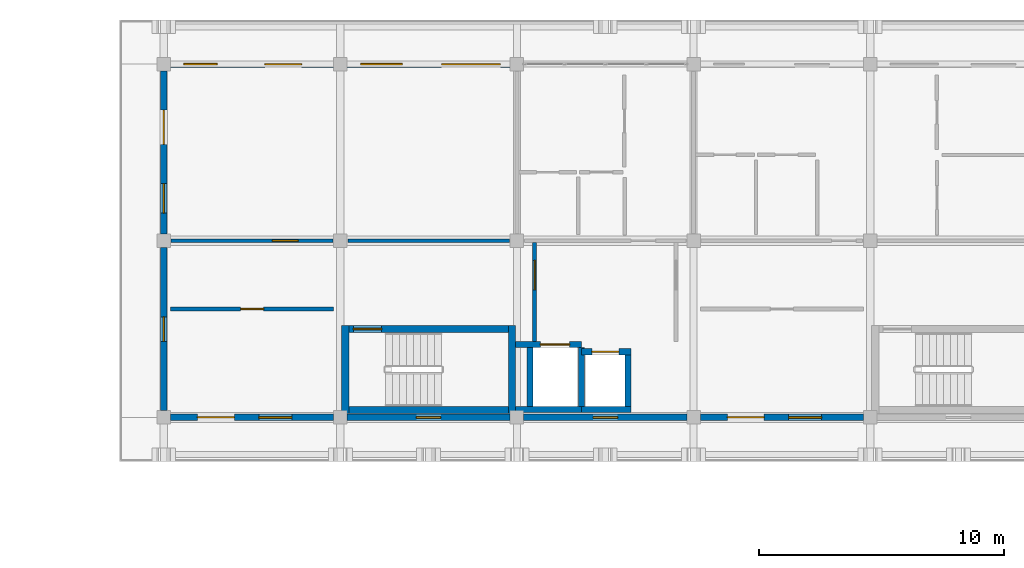
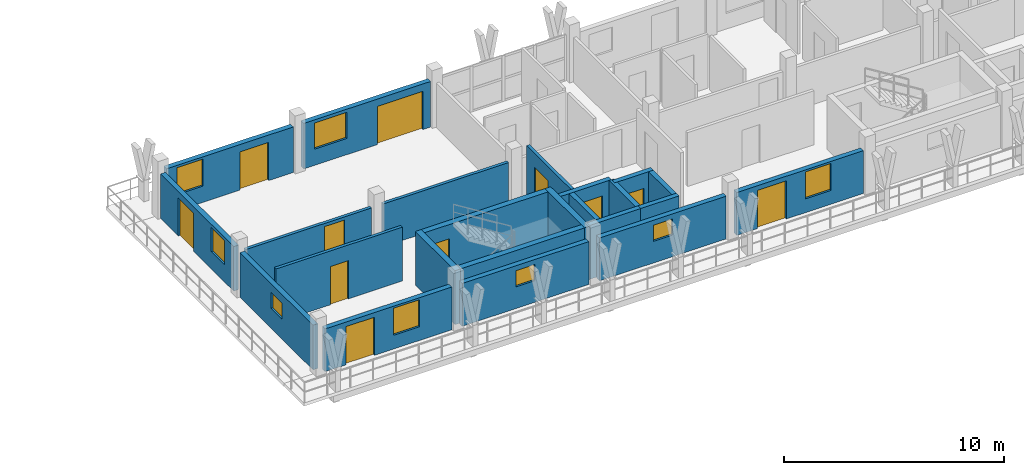
# One storey, part 49 of 67: 23 walls, 11 doors, 8 windows, 19 openings.
"""IFC4 building model written with IfcOpenShell, lengths in metres."""

from ifc_helpers import new_model, si_unit, direction, frame, frame_2d, origin, place, context, subcontext, project, spatial, rectangle, extrude, material, layer, layer_set, type_object, element, fill, save


model = new_model("IFC4")

# Units and contexts
model_context = context("Model", 3, precision=1e-05, world=origin(), true_north=direction((0.0, 1.0)))
body_context = subcontext(model_context, "Body", "Model", "MODEL_VIEW")
ifc_project = project(units=[si_unit("LENGTHUNIT", "METRE"), si_unit("AREAUNIT", "SQUARE_METRE"), si_unit("VOLUMEUNIT", "CUBIC_METRE"), si_unit("PLANEANGLEUNIT", "RADIAN"), si_unit("MASSUNIT", "GRAM", prefix="KILO")], contexts=[model_context])

# Site, building, storey
site_placement = place(None, origin())
site = spatial("IfcSite", under=ifc_project, at=site_placement, CompositionType="ELEMENT")
building_placement = place(site_placement, origin())
building = spatial("IfcBuilding", under=site, at=building_placement, Name="Suanplinth Sawtooth Commons", CompositionType="ELEMENT")
storey_placement = place(building_placement, frame((0.0, 0.0, 25.10009765625)))
storey = spatial("IfcBuildingStorey", under=building, at=storey_placement, Name="L07", CompositionType="ELEMENT", Elevation=25.10009765625)

# Wall
ifc_material_1 = material(Name="Concrete C40/50", Category="concrete")
ifc_layer_1 = layer(ifc_material_1, 0.300048828125, Name="Standard RC stair and lift core wall 300mm")
ifc_layer_set_1 = layer_set([ifc_layer_1], Name="Concrete C40/50")
wall_type_1 = type_object("IfcWallType", Name="W-CR02", PredefinedType="SHEAR", material=ifc_layer_set_1)
wall_1_placement = place(storey_placement, frame((137.14990234375, 108.300048828125, 0.0), z_axis=(0.0, 0.0, 1.0), x_axis=(1.0, 0.0, 0.0)))
element("IfcWall", 1, at=wall_1_placement, inside=storey, type_object=wall_type_1, Name="W-L07-C-B1-STS", PredefinedType="SHEAR", context=body_context, shape_type="SweptSolid", body=[
    extrude(rectangle(XDim=6.5, YDim=0.300048828125, at=frame_2d((3.25, 0.0))), origin(), (0.0, 0.0, 1.0), 2.989990234375),
])

# Wall, opening, door
wall_2_placement = place(storey_placement, frame((137.14990234375, 111.60009765625, 0.0), z_axis=(0.0, 0.0, 1.0), x_axis=(1.0, 0.0, 0.0)))
wall_2 = element("IfcWall", 2, at=wall_2_placement, inside=storey, type_object=wall_type_1, Name="W-L07-C-B1-STN", PredefinedType="SHEAR", context=body_context, shape_type="SweptSolid", body=[
    extrude(rectangle(XDim=6.5, YDim=0.300048828125, at=frame_2d((3.25, 0.0))), origin(), (0.0, 0.0, 1.0), 2.989990234375),
])
opening_1_placement = place(wall_2_placement, frame((0.179931640625, 0.0, 0.0)))
opening_1 = element("IfcOpeningElement", 3, at=opening_1_placement, cuts=wall_2, Name="Opening FD0194", PredefinedType="OPENING", context=body_context, shape_type="SweptSolid", body=[
    extrude(rectangle(XDim=1.14990234375, YDim=2.199951171875, at=frame_2d((0.574951171875, 1.10009765625))), frame((0.0, 0.1650390625, 0.0), z_axis=(0.0, -1.0, 0.0), x_axis=(1.0, 0.0, 0.0)), (0.0, 0.0, 1.0), 0.329833984375),
])
ifc_material_2 = material(Name="Teak hardwood fire-rated door assembly", Category="wood")
door_type_1 = type_object("IfcDoorType", Name="FD-01", OperationType="NOTDEFINED", PredefinedType="DOOR", material=ifc_material_2)
door_1_placement = place(opening_1_placement, frame((1.14990234375, 0.0, 0.0), z_axis=(0.0, 0.0, 1.0), x_axis=(-1.0, 0.0, 0.0)))
door_1 = element("IfcDoor", 4, at=door_1_placement, inside=storey, type_object=door_type_1, Name="Exit Stair Fire Door FD0194", OperationType="SINGLE_SWING_RIGHT", OverallHeight=2.199951171875, OverallWidth=1.14990234375, PredefinedType="DOOR", context=body_context, shape_type="SweptSolid", body=[
    extrude(rectangle(XDim=1.14990234375, YDim=2.199951171875, at=frame_2d((0.574951171875, 1.10009765625))), frame((0.0, 0.02490234375, 0.0), z_axis=(0.0, -1.0, 0.0), x_axis=(1.0, 0.0, 0.0)), (0.0, 0.0, 1.0), 0.050048828125),
])
fill(opening_1, door_1)

# Walls
for number, where, z_axis, x_axis, name in (
    (5, (137.0, 108.14990234375, 0.0), (0.0, 0.0, 1.0), (0.0, 1.0, 0.0), "W-L07-C-B1-STW"),
    (6, (143.800048828125, 108.14990234375, 0.0), (0.0, 0.0, 1.0), (0.0, 1.0, 0.0), "W-L07-C-B1-STE"),
):
    element("IfcWall", number, at=place(storey_placement, frame(where, z_axis=z_axis, x_axis=x_axis)), inside=storey, type_object=wall_type_1, Name=name, PredefinedType="SHEAR", context=body_context, shape_type="SweptSolid", body=[
        extrude(rectangle(XDim=3.60009765625, YDim=0.300048828125, at=frame_2d((1.800048828125, 0.0))), origin(), (0.0, 0.0, 1.0), 2.989990234375),
    ])

# Wall, openings, door, window
ifc_material_3 = material(Name="Precast concrete C40/50", Category="concrete")
ifc_layer_2 = layer(ifc_material_3, 0.260009765625, Name="Insulated precast courtyard facade wall 260mm")
ifc_layer_set_2 = layer_set([ifc_layer_2], Name="Precast concrete C40/50")
wall_type_2 = type_object("IfcWallType", Name="W-EX02", PredefinedType="ELEMENTEDWALL", material=ifc_layer_set_2)
wall_3_placement = place(storey_placement, frame((129.875, 108.0, 0.0), z_axis=(0.0, 0.0, 1.0), x_axis=(1.0, 0.0, 0.0)))
wall_3 = element("IfcWall", 7, at=wall_3_placement, inside=storey, type_object=wall_type_2, Name="Facade Wall W-L07-B-S-18-15", PredefinedType="ELEMENTEDWALL", context=body_context, shape_type="SweptSolid", body=[
    extrude(rectangle(XDim=6.64990234375, YDim=0.260009765625, at=frame_2d((3.324951171875, 0.0))), origin(), (0.0, 0.0, 1.0), 2.375),
])
opening_2_placement = place(wall_3_placement, frame((1.10009765625, 0.0, 0.0)))
opening_2 = element("IfcOpeningElement", 8, at=opening_2_placement, cuts=wall_3, Name="Opening ED0573", PredefinedType="OPENING", context=body_context, shape_type="SweptSolid", body=[
    extrude(rectangle(XDim=1.5, YDim=2.1201171875, at=frame_2d((0.75, 1.06005859375))), frame((0.0, 0.14501953125, 0.0), z_axis=(0.0, -1.0, 0.0), x_axis=(1.0, 0.0, 0.0)), (0.0, 0.0, 1.0), 0.289794921875),
])
opening_3_placement = place(wall_3_placement, frame((3.60009765625, 0.0, 0.764892578125)))
opening_3 = element("IfcOpeningElement", 9, at=opening_3_placement, cuts=wall_3, Name="Opening W0652", PredefinedType="OPENING", context=body_context, shape_type="SweptSolid", body=[
    extrude(rectangle(XDim=1.35009765625, YDim=1.5, at=frame_2d((0.675048828125, 0.75))), frame((0.0, 0.14501953125, 0.0), z_axis=(0.0, -1.0, 0.0), x_axis=(1.0, 0.0, 0.0)), (0.0, 0.0, 1.0), 0.289794921875),
])
ifc_material_4 = material(Name="Anodized aluminium and low-E glass", Category="aluminium")
door_type_2 = type_object("IfcDoorType", Name="SD-03", OperationType="SLIDING_TO_LEFT", PredefinedType="DOOR", material=ifc_material_4)
door_2_placement = place(opening_2_placement, frame((1.5, 0.0, 0.0), z_axis=(0.0, 0.0, 1.0), x_axis=(-1.0, 0.0, 0.0)))
door_2 = element("IfcDoor", 10, at=door_2_placement, inside=storey, type_object=door_type_2, Name="Courtyard Balcony Door L07-B-18", OperationType="SLIDING_TO_LEFT", OverallHeight=2.1201171875, OverallWidth=1.5, PredefinedType="DOOR", context=body_context, shape_type="SweptSolid", body=[
    extrude(rectangle(XDim=1.5, YDim=2.1201171875, at=frame_2d((0.75, 1.06005859375))), frame((0.0, 0.02490234375, 0.0), z_axis=(0.0, -1.0, 0.0), x_axis=(1.0, 0.0, 0.0)), (0.0, 0.0, 1.0), 0.050048828125),
])
fill(opening_2, door_2)
ifc_material_5 = material(Name="Thermally broken aluminium and low-E double glazing", Category="aluminium")
window_type_1 = type_object("IfcWindowType", Name="WN-14", PartitioningType="SINGLE_PANEL", PredefinedType="WINDOW", material=ifc_material_5)
window_1_placement = place(opening_3_placement, origin())
window_1 = element("IfcWindow", 11, at=window_1_placement, inside=storey, type_object=window_type_1, Name="Courtyard Window L07-B-18", OverallHeight=1.5, OverallWidth=1.35009765625, PartitioningType="SINGLE_PANEL", PredefinedType="WINDOW", context=body_context, shape_type="SweptSolid", body=[
    extrude(rectangle(XDim=1.35009765625, YDim=1.5, at=frame_2d((0.675048828125, 0.75))), frame((0.0, 0.030029296875, 0.0), z_axis=(0.0, -1.0, 0.0), x_axis=(1.0, 0.0, 0.0)), (0.0, 0.0, 1.0), 0.06005859375),
])
fill(opening_3, window_1)

# Wall, opening, window
wall_4_placement = place(storey_placement, frame((129.60009765625, 108.27490234375, 0.0), z_axis=(0.0, 0.0, 1.0), x_axis=(0.0, 1.0, 0.0)))
wall_4 = element("IfcWall", 12, at=wall_4_placement, inside=storey, type_object=wall_type_2, Name="Facade Wall W-L07-B-W-18-15", PredefinedType="ELEMENTEDWALL", context=body_context, shape_type="SweptSolid", body=[
    extrude(rectangle(XDim=6.650146484375, YDim=0.260009765625, at=frame_2d((3.3251953125, 0.0))), origin(), (0.0, 0.0, 1.0), 2.474853515625),
])
opening_4_placement = place(wall_4_placement, frame((2.824951171875, 0.0, 1.10009765625)))
opening_4 = element("IfcOpeningElement", 13, at=opening_4_placement, cuts=wall_4, Name="Opening W0653", PredefinedType="OPENING", context=body_context, shape_type="SweptSolid", body=[
    extrude(rectangle(XDim=1.0, YDim=0.89990234375, at=frame_2d((0.5, 0.449951171875))), frame((0.0, 0.14501953125, 0.0), z_axis=(0.0, -1.0, 0.0), x_axis=(1.0, 0.0, 0.0)), (0.0, 0.0, 1.0), 0.289794921875),
])
window_type_2 = type_object("IfcWindowType", Name="WN-12", PartitioningType="SINGLE_PANEL", PredefinedType="WINDOW", material=ifc_material_5)
window_2_placement = place(opening_4_placement, origin())
window_2 = element("IfcWindow", 14, at=window_2_placement, inside=storey, type_object=window_type_2, Name="End Window L07-B-W-18-15", OverallHeight=0.89990234375, OverallWidth=1.0, PartitioningType="SINGLE_PANEL", PredefinedType="WINDOW", context=body_context, shape_type="SweptSolid", body=[
    extrude(rectangle(XDim=1.0, YDim=0.89990234375, at=frame_2d((0.5, 0.449951171875))), frame((0.0, 0.030029296875, 0.0), z_axis=(0.0, -1.0, 0.0), x_axis=(1.0, 0.0, 0.0)), (0.0, 0.0, 1.0), 0.06005859375),
])
fill(opening_4, window_2)

# Wall, openings, door, window
wall_5_placement = place(storey_placement, frame((129.875, 122.39990234375, 0.0), z_axis=(0.0, 0.0, 1.0), x_axis=(1.0, 0.0, 0.0)))
wall_5 = element("IfcWall", 15, at=wall_5_placement, inside=storey, type_object=wall_type_2, Name="Facade Wall W-L07-B-N-18-16", PredefinedType="ELEMENTEDWALL", context=body_context, shape_type="SweptSolid", body=[
    extrude(rectangle(XDim=6.64990234375, YDim=0.260009765625, at=frame_2d((3.324951171875, 0.0))), origin(), (0.0, 0.0, 1.0), 2.52490234375),
])
opening_5_placement = place(wall_5_placement, frame((3.85009765625, 0.0, 0.0)))
opening_5 = element("IfcOpeningElement", 16, at=opening_5_placement, cuts=wall_5, Name="Opening ED0574", PredefinedType="OPENING", context=body_context, shape_type="SweptSolid", body=[
    extrude(rectangle(XDim=1.5, YDim=2.1201171875, at=frame_2d((0.75, 1.06005859375))), frame((0.0, 0.14501953125, 0.0), z_axis=(0.0, -1.0, 0.0), x_axis=(1.0, 0.0, 0.0)), (0.0, 0.0, 1.0), 0.289794921875),
])
opening_6_placement = place(wall_5_placement, frame((0.550048828125, 0.0, 0.89990234375)))
opening_6 = element("IfcOpeningElement", 17, at=opening_6_placement, cuts=wall_5, Name="Opening W0654", PredefinedType="OPENING", context=body_context, shape_type="SweptSolid", body=[
    extrude(rectangle(XDim=1.35009765625, YDim=1.5, at=frame_2d((0.675048828125, 0.75))), frame((0.0, 0.14501953125, 0.0), z_axis=(0.0, -1.0, 0.0), x_axis=(1.0, 0.0, 0.0)), (0.0, 0.0, 1.0), 0.289794921875),
])
door_3_placement = place(opening_5_placement, frame((1.5, 0.0, 0.0), z_axis=(0.0, 0.0, 1.0), x_axis=(-1.0, 0.0, 0.0)))
door_3 = element("IfcDoor", 18, at=door_3_placement, inside=storey, type_object=door_type_2, Name="Balcony Sliding Door L07-B-18", OperationType="SLIDING_TO_LEFT", OverallHeight=2.1201171875, OverallWidth=1.5, PredefinedType="DOOR", context=body_context, shape_type="SweptSolid", body=[
    extrude(rectangle(XDim=1.5, YDim=2.1201171875, at=frame_2d((0.75, 1.06005859375))), frame((0.0, 0.02490234375, 0.0), z_axis=(0.0, -1.0, 0.0), x_axis=(1.0, 0.0, 0.0)), (0.0, 0.0, 1.0), 0.050048828125),
])
fill(opening_5, door_3)
window_3_placement = place(opening_6_placement, origin())
window_3 = element("IfcWindow", 19, at=window_3_placement, inside=storey, type_object=window_type_1, Name="Apartment Window L07-B-18", OverallHeight=1.5, OverallWidth=1.35009765625, PartitioningType="SINGLE_PANEL", PredefinedType="WINDOW", context=body_context, shape_type="SweptSolid", body=[
    extrude(rectangle(XDim=1.35009765625, YDim=1.5, at=frame_2d((0.675048828125, 0.75))), frame((0.0, 0.030029296875, 0.0), z_axis=(0.0, -1.0, 0.0), x_axis=(1.0, 0.0, 0.0)), (0.0, 0.0, 1.0), 0.06005859375),
])
fill(opening_6, window_3)

wall_6_placement = place(storey_placement, frame((129.60009765625, 115.47509765625, 0.0), z_axis=(0.0, 0.0, 1.0), x_axis=(0.0, 1.0, 0.0)))
wall_6 = element("IfcWall", 20, at=wall_6_placement, inside=storey, type_object=wall_type_2, Name="Facade Wall W-L07-B-W-18-16", PredefinedType="ELEMENTEDWALL", context=body_context, shape_type="SweptSolid", body=[
    extrude(rectangle(XDim=6.64990234375, YDim=0.260009765625, at=frame_2d((3.324951171875, 0.0))), origin(), (0.0, 0.0, 1.0), 2.474853515625),
])
opening_7_placement = place(wall_6_placement, frame((3.64990234375, 0.0, 0.0)))
opening_7 = element("IfcOpeningElement", 21, at=opening_7_placement, cuts=wall_6, Name="Opening ED0575", PredefinedType="OPENING", context=body_context, shape_type="SweptSolid", body=[
    extrude(rectangle(XDim=1.39990234375, YDim=2.10009765625, at=frame_2d((0.699951171875, 1.050048828125))), frame((0.0, 0.14501953125, 0.0), z_axis=(0.0, -1.0, 0.0), x_axis=(1.0, 0.0, 0.0)), (0.0, 0.0, 1.0), 0.289794921875),
])
opening_8_placement = place(wall_6_placement, frame((0.85009765625, 0.0, 0.949951171875)))
opening_8 = element("IfcOpeningElement", 22, at=opening_8_placement, cuts=wall_6, Name="Opening W0655", PredefinedType="OPENING", context=body_context, shape_type="SweptSolid", body=[
    extrude(rectangle(XDim=1.199951171875, YDim=1.35009765625, at=frame_2d((0.60009765625, 0.675048828125))), frame((0.0, 0.14501953125, 0.0), z_axis=(0.0, -1.0, 0.0), x_axis=(1.0, 0.0, 0.0)), (0.0, 0.0, 1.0), 0.289794921875),
])
door_type_3 = type_object("IfcDoorType", Name="SD-07", OperationType="SLIDING_TO_RIGHT", PredefinedType="DOOR", material=ifc_material_4)
door_4_placement = place(opening_7_placement, frame((1.39990234375, 0.0, 0.0), z_axis=(0.0, 0.0, 1.0), x_axis=(-1.0, 0.0, 0.0)))
door_4 = element("IfcDoor", 23, at=door_4_placement, inside=storey, type_object=door_type_3, Name="End Balcony Sliding Door L07-B-W-18-16", OperationType="SLIDING_TO_RIGHT", OverallHeight=2.10009765625, OverallWidth=1.39990234375, PredefinedType="DOOR", context=body_context, shape_type="SweptSolid", body=[
    extrude(rectangle(XDim=1.39990234375, YDim=2.10009765625, at=frame_2d((0.699951171875, 1.050048828125))), frame((0.0, 0.02490234375, 0.0), z_axis=(0.0, -1.0, 0.0), x_axis=(1.0, 0.0, 0.0)), (0.0, 0.0, 1.0), 0.050048828125),
])
fill(opening_7, door_4)
window_type_3 = type_object("IfcWindowType", Name="WN-03", PartitioningType="SINGLE_PANEL", PredefinedType="WINDOW", material=ifc_material_5)
window_4_placement = place(opening_8_placement, origin())
window_4 = element("IfcWindow", 24, at=window_4_placement, inside=storey, type_object=window_type_3, Name="End Bedroom Window L07-B-18-16", OverallHeight=1.35009765625, OverallWidth=1.199951171875, PartitioningType="SINGLE_PANEL", PredefinedType="WINDOW", context=body_context, shape_type="SweptSolid", body=[
    extrude(rectangle(XDim=1.199951171875, YDim=1.35009765625, at=frame_2d((0.60009765625, 0.675048828125))), frame((0.0, 0.030029296875, 0.0), z_axis=(0.0, -1.0, 0.0), x_axis=(1.0, 0.0, 0.0)), (0.0, 0.0, 1.0), 0.06005859375),
])
fill(opening_8, window_4)

# Wall, opening, window
wall_7_placement = place(storey_placement, frame((137.074951171875, 108.0, 0.0), z_axis=(0.0, 0.0, 1.0), x_axis=(1.0, 0.0, 0.0)))
wall_7 = element("IfcWall", 25, at=wall_7_placement, inside=storey, type_object=wall_type_2, Name="Facade Wall W-L07-B-S-19-15", PredefinedType="ELEMENTEDWALL", context=body_context, shape_type="SweptSolid", body=[
    extrude(rectangle(XDim=6.650146484375, YDim=0.260009765625, at=frame_2d((3.3251953125, 0.0))), origin(), (0.0, 0.0, 1.0), 2.375),
])
opening_9_placement = place(wall_7_placement, frame((2.824951171875, 0.0, 1.199951171875)))
opening_9 = element("IfcOpeningElement", 26, at=opening_9_placement, cuts=wall_7, Name="Opening W0656", PredefinedType="OPENING", context=body_context, shape_type="SweptSolid", body=[
    extrude(rectangle(XDim=1.0, YDim=0.89990234375, at=frame_2d((0.5, 0.449951171875))), frame((0.0, 0.14501953125, 0.0), z_axis=(0.0, -1.0, 0.0), x_axis=(1.0, 0.0, 0.0)), (0.0, 0.0, 1.0), 0.289794921875),
])
window_5_placement = place(opening_9_placement, origin())
window_5 = element("IfcWindow", 27, at=window_5_placement, inside=storey, type_object=window_type_2, Name="Core Daylight Window L07-B-19-15", OverallHeight=0.89990234375, OverallWidth=1.0, PartitioningType="SINGLE_PANEL", PredefinedType="WINDOW", context=body_context, shape_type="SweptSolid", body=[
    extrude(rectangle(XDim=1.0, YDim=0.89990234375, at=frame_2d((0.5, 0.449951171875))), frame((0.0, 0.030029296875, 0.0), z_axis=(0.0, -1.0, 0.0), x_axis=(1.0, 0.0, 0.0)), (0.0, 0.0, 1.0), 0.06005859375),
])
fill(opening_9, window_5)

# Wall, openings, door, window
wall_8_placement = place(storey_placement, frame((137.074951171875, 122.39990234375, 0.0), z_axis=(0.0, 0.0, 1.0), x_axis=(1.0, 0.0, 0.0)))
wall_8 = element("IfcWall", 28, at=wall_8_placement, inside=storey, type_object=wall_type_2, Name="Facade Wall W-L07-B-N-19-16", PredefinedType="ELEMENTEDWALL", context=body_context, shape_type="SweptSolid", body=[
    extrude(rectangle(XDim=6.650146484375, YDim=0.260009765625, at=frame_2d((3.3251953125, 0.0))), origin(), (0.0, 0.0, 1.0), 2.52490234375),
])
opening_10_placement = place(wall_8_placement, frame((3.85009765625, 0.0, 0.0)))
opening_10 = element("IfcOpeningElement", 29, at=opening_10_placement, cuts=wall_8, Name="Opening ED0576", PredefinedType="OPENING", context=body_context, shape_type="SweptSolid", body=[
    extrude(rectangle(XDim=2.39990234375, YDim=2.1201171875, at=frame_2d((1.199951171875, 1.06005859375))), frame((0.0, 0.14501953125, 0.0), z_axis=(0.0, -1.0, 0.0), x_axis=(1.0, 0.0, 0.0)), (0.0, 0.0, 1.0), 0.289794921875),
])
opening_11_placement = place(wall_8_placement, frame((0.550048828125, 0.0, 0.89990234375)))
opening_11 = element("IfcOpeningElement", 30, at=opening_11_placement, cuts=wall_8, Name="Opening W0657", PredefinedType="OPENING", context=body_context, shape_type="SweptSolid", body=[
    extrude(rectangle(XDim=1.699951171875, YDim=1.449951171875, at=frame_2d((0.85009765625, 0.72509765625))), frame((0.0, 0.14501953125, 0.0), z_axis=(0.0, -1.0, 0.0), x_axis=(1.0, 0.0, 0.0)), (0.0, 0.0, 1.0), 0.289794921875),
])
door_type_4 = type_object("IfcDoorType", Name="SD-04", OperationType="DOUBLE_DOOR_SLIDING", PredefinedType="DOOR", material=ifc_material_4)
door_5_placement = place(opening_10_placement, frame((2.39990234375, 0.0, 0.0), z_axis=(0.0, 0.0, 1.0), x_axis=(-1.0, 0.0, 0.0)))
door_5 = element("IfcDoor", 31, at=door_5_placement, inside=storey, type_object=door_type_4, Name="Balcony Sliding Door L07-B-19", OperationType="DOUBLE_DOOR_SLIDING", OverallHeight=2.1201171875, OverallWidth=2.39990234375, PredefinedType="DOOR", context=body_context, shape_type="SweptSolid", body=[
    extrude(rectangle(XDim=2.39990234375, YDim=2.1201171875, at=frame_2d((1.199951171875, 1.06005859375))), frame((0.0, 0.02490234375, 0.0), z_axis=(0.0, -1.0, 0.0), x_axis=(1.0, 0.0, 0.0)), (0.0, 0.0, 1.0), 0.050048828125),
])
fill(opening_10, door_5)
window_type_4 = type_object("IfcWindowType", Name="WN-15", PartitioningType="DOUBLE_PANEL_VERTICAL", PredefinedType="WINDOW", material=ifc_material_5)
window_6_placement = place(opening_11_placement, origin())
window_6 = element("IfcWindow", 32, at=window_6_placement, inside=storey, type_object=window_type_4, Name="Apartment Window L07-B-19", OverallHeight=1.449951171875, OverallWidth=1.699951171875, PartitioningType="DOUBLE_PANEL_VERTICAL", PredefinedType="WINDOW", context=body_context, shape_type="SweptSolid", body=[
    extrude(rectangle(XDim=1.699951171875, YDim=1.449951171875, at=frame_2d((0.85009765625, 0.72509765625))), frame((0.0, 0.030029296875, 0.0), z_axis=(0.0, -1.0, 0.0), x_axis=(1.0, 0.0, 0.0)), (0.0, 0.0, 1.0), 0.06005859375),
])
fill(opening_11, window_6)

# Wall, opening, window
wall_9_placement = place(storey_placement, frame((144.27490234375, 108.0, 0.0), z_axis=(0.0, 0.0, 1.0), x_axis=(1.0, 0.0, 0.0)))
wall_9 = element("IfcWall", 33, at=wall_9_placement, inside=storey, type_object=wall_type_2, Name="Facade Wall W-L07-B-S-20-15", PredefinedType="ELEMENTEDWALL", context=body_context, shape_type="SweptSolid", body=[
    extrude(rectangle(XDim=6.650146484375, YDim=0.260009765625, at=frame_2d((3.3251953125, 0.0))), origin(), (0.0, 0.0, 1.0), 2.375),
])
opening_12_placement = place(wall_9_placement, frame((2.824951171875, 0.0, 1.199951171875)))
opening_12 = element("IfcOpeningElement", 34, at=opening_12_placement, cuts=wall_9, Name="Opening W0658", PredefinedType="OPENING", context=body_context, shape_type="SweptSolid", body=[
    extrude(rectangle(XDim=1.0, YDim=0.89990234375, at=frame_2d((0.5, 0.449951171875))), frame((0.0, 0.14501953125, 0.0), z_axis=(0.0, -1.0, 0.0), x_axis=(1.0, 0.0, 0.0)), (0.0, 0.0, 1.0), 0.289794921875),
])
window_7_placement = place(opening_12_placement, origin())
window_7 = element("IfcWindow", 35, at=window_7_placement, inside=storey, type_object=window_type_2, Name="Core Daylight Window L07-B-20-15", OverallHeight=0.89990234375, OverallWidth=1.0, PartitioningType="SINGLE_PANEL", PredefinedType="WINDOW", context=body_context, shape_type="SweptSolid", body=[
    extrude(rectangle(XDim=1.0, YDim=0.89990234375, at=frame_2d((0.5, 0.449951171875))), frame((0.0, 0.030029296875, 0.0), z_axis=(0.0, -1.0, 0.0), x_axis=(1.0, 0.0, 0.0)), (0.0, 0.0, 1.0), 0.06005859375),
])
fill(opening_12, window_7)

# Wall, openings, door, window
wall_10_placement = place(storey_placement, frame((151.47509765625, 108.0, 0.0), z_axis=(0.0, 0.0, 1.0), x_axis=(1.0, 0.0, 0.0)))
wall_10 = element("IfcWall", 36, at=wall_10_placement, inside=storey, type_object=wall_type_2, Name="Facade Wall W-L07-B-S-21-15", PredefinedType="ELEMENTEDWALL", context=body_context, shape_type="SweptSolid", body=[
    extrude(rectangle(XDim=6.64990234375, YDim=0.260009765625, at=frame_2d((3.324951171875, 0.0))), origin(), (0.0, 0.0, 1.0), 2.375),
])
opening_13_placement = place(wall_10_placement, frame((1.10009765625, 0.0, 0.0)))
opening_13 = element("IfcOpeningElement", 37, at=opening_13_placement, cuts=wall_10, Name="Opening ED0577", PredefinedType="OPENING", context=body_context, shape_type="SweptSolid", body=[
    extrude(rectangle(XDim=1.5, YDim=2.1201171875, at=frame_2d((0.75, 1.06005859375))), frame((0.0, 0.14501953125, 0.0), z_axis=(0.0, -1.0, 0.0), x_axis=(1.0, 0.0, 0.0)), (0.0, 0.0, 1.0), 0.289794921875),
])
opening_14_placement = place(wall_10_placement, frame((3.60009765625, 0.0, 0.764892578125)))
opening_14 = element("IfcOpeningElement", 38, at=opening_14_placement, cuts=wall_10, Name="Opening W0659", PredefinedType="OPENING", context=body_context, shape_type="SweptSolid", body=[
    extrude(rectangle(XDim=1.35009765625, YDim=1.5, at=frame_2d((0.675048828125, 0.75))), frame((0.0, 0.14501953125, 0.0), z_axis=(0.0, -1.0, 0.0), x_axis=(1.0, 0.0, 0.0)), (0.0, 0.0, 1.0), 0.289794921875),
])
door_6_placement = place(opening_13_placement, frame((1.5, 0.0, 0.0), z_axis=(0.0, 0.0, 1.0), x_axis=(-1.0, 0.0, 0.0)))
door_6 = element("IfcDoor", 39, at=door_6_placement, inside=storey, type_object=door_type_2, Name="Courtyard Balcony Door L07-B-21", OperationType="SLIDING_TO_LEFT", OverallHeight=2.1201171875, OverallWidth=1.5, PredefinedType="DOOR", context=body_context, shape_type="SweptSolid", body=[
    extrude(rectangle(XDim=1.5, YDim=2.1201171875, at=frame_2d((0.75, 1.06005859375))), frame((0.0, 0.02490234375, 0.0), z_axis=(0.0, -1.0, 0.0), x_axis=(1.0, 0.0, 0.0)), (0.0, 0.0, 1.0), 0.050048828125),
])
fill(opening_13, door_6)
window_8_placement = place(opening_14_placement, origin())
window_8 = element("IfcWindow", 40, at=window_8_placement, inside=storey, type_object=window_type_1, Name="Courtyard Window L07-B-21", OverallHeight=1.5, OverallWidth=1.35009765625, PartitioningType="SINGLE_PANEL", PredefinedType="WINDOW", context=body_context, shape_type="SweptSolid", body=[
    extrude(rectangle(XDim=1.35009765625, YDim=1.5, at=frame_2d((0.675048828125, 0.75))), frame((0.0, 0.030029296875, 0.0), z_axis=(0.0, -1.0, 0.0), x_axis=(1.0, 0.0, 0.0)), (0.0, 0.0, 1.0), 0.06005859375),
])
fill(opening_14, window_8)

# Wall, opening, door
ifc_layer_3 = layer(ifc_material_3, 0.159912109375, Name="Fire-rated corridor and lobby wall 160mm")
ifc_layer_set_3 = layer_set([ifc_layer_3], Name="Precast concrete C40/50")
wall_type_3 = type_object("IfcWallType", Name="W-FW01", PredefinedType="PARTITIONING", material=ifc_layer_set_3)
wall_11_placement = place(storey_placement, frame((144.719970703125, 111.10009765625, 0.0), z_axis=(0.0, 0.0, 1.0), x_axis=(0.0, 1.0, 0.0)))
wall_11 = element("IfcWall", 41, at=wall_11_placement, inside=storey, type_object=wall_type_3, Name="W-L07-C-B1-LOB-W", PredefinedType="PARTITIONING", context=body_context, shape_type="SweptSolid", body=[
    extrude(rectangle(XDim=4.02001953125, YDim=0.159912109375, at=frame_2d((2.010009765625, 0.0))), origin(), (0.0, 0.0, 1.0), 2.989990234375),
])
opening_15_placement = place(wall_11_placement, frame((2.10009765625, 0.0, 0.0)))
opening_15 = element("IfcOpeningElement", 42, at=opening_15_placement, cuts=wall_11, Name="Opening FD0195", PredefinedType="OPENING", context=body_context, shape_type="SweptSolid", body=[
    extrude(rectangle(XDim=1.199951171875, YDim=2.199951171875, at=frame_2d((0.60009765625, 1.10009765625))), frame((0.0, 0.0947265625, 0.0), z_axis=(0.0, -1.0, 0.0), x_axis=(1.0, 0.0, 0.0)), (0.0, 0.0, 1.0), 0.189697265625),
])
door_type_5 = type_object("IfcDoorType", Name="FD-02", OperationType="NOTDEFINED", PredefinedType="DOOR", material=ifc_material_2)
door_7_placement = place(opening_15_placement, origin())
door_7 = element("IfcDoor", 43, at=door_7_placement, inside=storey, type_object=door_type_5, Name="Lobby Fire Door FD0195", OperationType="SINGLE_SWING_LEFT", OverallHeight=2.199951171875, OverallWidth=1.199951171875, PredefinedType="DOOR", context=body_context, shape_type="SweptSolid", body=[
    extrude(rectangle(XDim=1.199951171875, YDim=2.199951171875, at=frame_2d((0.60009765625, 1.10009765625))), frame((0.0, 0.02490234375, 0.0), z_axis=(0.0, -1.0, 0.0), x_axis=(1.0, 0.0, 0.0)), (0.0, 0.0, 1.0), 0.050048828125),
])
fill(opening_15, door_7)

wall_12_placement = place(storey_placement, frame((129.905029296875, 115.199951171875, 0.0), z_axis=(0.0, 0.0, 1.0), x_axis=(1.0, 0.0, 0.0)))
wall_12 = element("IfcWall", 44, at=wall_12_placement, inside=storey, type_object=wall_type_3, Name="W-B-L07-U01-COR-S1", PredefinedType="PARTITIONING", context=body_context, shape_type="SweptSolid", body=[
    extrude(rectangle(XDim=6.590087890625, YDim=0.159912109375, at=frame_2d((3.294921875, 0.0))), origin(), (0.0, 0.0, 1.0), 2.375),
])
opening_16_placement = place(wall_12_placement, frame((4.1201171875, 0.0, 0.0)))
opening_16 = element("IfcOpeningElement", 45, at=opening_16_placement, cuts=wall_12, Name="Opening D1543", PredefinedType="OPENING", context=body_context, shape_type="SweptSolid", body=[
    extrude(rectangle(XDim=1.050048828125, YDim=2.199951171875, at=frame_2d((0.52490234375, 1.10009765625))), frame((0.0, 0.0947265625, 0.0), z_axis=(0.0, -1.0, 0.0), x_axis=(1.0, 0.0, 0.0)), (0.0, 0.0, 1.0), 0.189697265625),
])
ifc_material_6 = material(Name="Teak hardwood", Category="wood")
door_type_6 = type_object("IfcDoorType", Name="D-05", OperationType="NOTDEFINED", PredefinedType="DOOR", material=ifc_material_6)
door_8_placement = place(opening_16_placement, origin())
door_8 = element("IfcDoor", 46, at=door_8_placement, inside=storey, type_object=door_type_6, Name="Unit Entrance Door D1543", OperationType="SINGLE_SWING_LEFT", OverallHeight=2.199951171875, OverallWidth=1.050048828125, PredefinedType="DOOR", context=body_context, shape_type="SweptSolid", body=[
    extrude(rectangle(XDim=1.050048828125, YDim=2.199951171875, at=frame_2d((0.52490234375, 1.10009765625))), frame((0.0, 0.02490234375, 0.0), z_axis=(0.0, -1.0, 0.0), x_axis=(1.0, 0.0, 0.0)), (0.0, 0.0, 1.0), 0.050048828125),
])
fill(opening_16, door_8)

# Wall
wall_13_placement = place(storey_placement, frame((137.10498046875, 115.199951171875, 0.0), z_axis=(0.0, 0.0, 1.0), x_axis=(1.0, 0.0, 0.0)))
element("IfcWall", 47, at=wall_13_placement, inside=storey, type_object=wall_type_3, Name="W-B-L07-U01-COR-S2", PredefinedType="PARTITIONING", context=body_context, shape_type="SweptSolid", body=[
    extrude(rectangle(XDim=6.590087890625, YDim=0.159912109375, at=frame_2d((3.294921875, 0.0))), origin(), (0.0, 0.0, 1.0), 2.375),
])

# Wall, opening, door
wall_14_placement = place(storey_placement, frame((129.8798828125, 112.419921875, 0.0), z_axis=(0.0, 0.0, 1.0), x_axis=(1.0, 0.0, 0.0)))
wall_14 = element("IfcWall", 48, at=wall_14_placement, inside=storey, type_object=wall_type_3, Name="W-B-L07-COURTROOM-25-COR", PredefinedType="PARTITIONING", context=body_context, shape_type="SweptSolid", body=[
    extrude(rectangle(XDim=6.64013671875, YDim=0.159912109375, at=frame_2d((3.320068359375, 0.0))), origin(), (0.0, 0.0, 1.0), 2.989990234375),
])
opening_17_placement = place(wall_14_placement, frame((2.85009765625, 0.0, 0.0)))
opening_17 = element("IfcOpeningElement", 49, at=opening_17_placement, cuts=wall_14, Name="Opening D1562", PredefinedType="OPENING", context=body_context, shape_type="SweptSolid", body=[
    extrude(rectangle(XDim=0.93994140625, YDim=2.1201171875, at=frame_2d((0.469970703125, 1.06005859375))), frame((0.0, 0.0947265625, 0.0), z_axis=(0.0, -1.0, 0.0), x_axis=(1.0, 0.0, 0.0)), (0.0, 0.0, 1.0), 0.189697265625),
])
door_type_7 = type_object("IfcDoorType", Name="D-15", OperationType="NOTDEFINED", PredefinedType="DOOR", material=ifc_material_6)
door_9_placement = place(opening_17_placement, frame((0.93994140625, 0.0, 0.0), z_axis=(0.0, 0.0, 1.0), x_axis=(-1.0, 0.0, 0.0)))
door_9 = element("IfcDoor", 50, at=door_9_placement, inside=storey, type_object=door_type_7, Name="Study Studio Door D1562", OperationType="SINGLE_SWING_RIGHT", OverallHeight=2.1201171875, OverallWidth=0.93994140625, PredefinedType="DOOR", context=body_context, shape_type="SweptSolid", body=[
    extrude(rectangle(XDim=0.93994140625, YDim=2.1201171875, at=frame_2d((0.469970703125, 1.06005859375))), frame((0.0, 0.02490234375, 0.0), z_axis=(0.0, -1.0, 0.0), x_axis=(1.0, 0.0, 0.0)), (0.0, 0.0, 1.0), 0.050048828125),
])
fill(opening_17, door_9)

# Wall
ifc_layer_4 = layer(ifc_material_3, 0.25, Name="Precast structural shear wall 250mm")
ifc_layer_set_4 = layer_set([ifc_layer_4], Name="Precast concrete C40/50")
wall_type_4 = type_object("IfcWallType", Name="W-SH01", PredefinedType="SHEAR", material=ifc_layer_set_4)
wall_15_placement = place(storey_placement, frame((143.949951171875, 108.324951171875, 0.0), z_axis=(0.0, 0.0, 1.0), x_axis=(1.0, 0.0, 0.0)))
element("IfcWall", 51, at=wall_15_placement, inside=storey, type_object=wall_type_4, Name="W-L07-FL2-S", PredefinedType="SHEAR", context=body_context, shape_type="SweptSolid", body=[
    extrude(rectangle(XDim=2.675048828125, YDim=0.25, at=frame_2d((1.33740234375, 0.0))), origin(), (0.0, 0.0, 1.0), 2.989990234375),
])

# Wall, opening, door
wall_16_placement = place(storey_placement, frame((143.949951171875, 110.97509765625, 0.0), z_axis=(0.0, 0.0, 1.0), x_axis=(1.0, 0.0, 0.0)))
wall_16 = element("IfcWall", 52, at=wall_16_placement, inside=storey, type_object=wall_type_4, Name="W-L07-FL2-N", PredefinedType="SHEAR", context=body_context, shape_type="SweptSolid", body=[
    extrude(rectangle(XDim=2.675048828125, YDim=0.25, at=frame_2d((1.33740234375, 0.0))), origin(), (0.0, 0.0, 1.0), 2.989990234375),
])
opening_18_placement = place(wall_16_placement, frame((1.0, 0.0, 0.0)))
opening_18 = element("IfcOpeningElement", 53, at=opening_18_placement, cuts=wall_16, Name="Opening LD0197", PredefinedType="OPENING", context=body_context, shape_type="SweptSolid", body=[
    extrude(rectangle(XDim=1.199951171875, YDim=2.25, at=frame_2d((0.60009765625, 1.125))), frame((0.0, 0.139892578125, 0.0), z_axis=(0.0, -1.0, 0.0), x_axis=(1.0, 0.0, 0.0)), (0.0, 0.0, 1.0), 0.27978515625),
])
ifc_material_7 = material(Name="Stainless steel Grade 304", Category="steel")
door_type_8 = type_object("IfcDoorType", Name="LD-02", OperationType="SLIDING_TO_LEFT", PredefinedType="DOOR", material=ifc_material_7)
door_10_placement = place(opening_18_placement, origin())
door_10 = element("IfcDoor", 54, at=door_10_placement, inside=storey, type_object=door_type_8, Name="Lift Landing Sliding Door FL2 L07", OperationType="SLIDING_TO_LEFT", OverallHeight=2.25, OverallWidth=1.199951171875, PredefinedType="DOOR", context=body_context, shape_type="SweptSolid", body=[
    extrude(rectangle(XDim=1.199951171875, YDim=2.25, at=frame_2d((0.60009765625, 1.125))), frame((0.0, 0.02490234375, 0.0), z_axis=(0.0, -1.0, 0.0), x_axis=(1.0, 0.0, 0.0)), (0.0, 0.0, 1.0), 0.050048828125),
])
fill(opening_18, door_10)

# Walls
for number, where, z_axis, x_axis, name in (
    (55, (144.52490234375, 108.449951171875, 0.0), (0.0, 0.0, 1.0), (0.0, 1.0, 0.0), "W-L07-FL2-W"),
    (56, (146.625, 108.449951171875, 0.0), (0.0, 0.0, 1.0), (0.0, 1.0, 0.0), "W-L07-FL2-DIV"),
):
    element("IfcWall", number, at=place(storey_placement, frame(where, z_axis=z_axis, x_axis=x_axis)), inside=storey, type_object=wall_type_4, Name=name, PredefinedType="SHEAR", context=body_context, shape_type="SweptSolid", body=[
        extrude(rectangle(XDim=2.400146484375, YDim=0.25, at=frame_2d((1.2001953125, 0.0))), origin(), (0.0, 0.0, 1.0), 2.989990234375),
    ])
wall_17_placement = place(storey_placement, frame((146.625, 108.324951171875, 0.0), z_axis=(0.0, 0.0, 1.0), x_axis=(1.0, 0.0, 0.0)))
element("IfcWall", 57, at=wall_17_placement, inside=storey, type_object=wall_type_4, Name="W-L07-LF3-S", PredefinedType="SHEAR", context=body_context, shape_type="SweptSolid", body=[
    extrude(rectangle(XDim=2.02490234375, YDim=0.25, at=frame_2d((1.012451171875, 0.0))), origin(), (0.0, 0.0, 1.0), 2.989990234375),
])

# Wall, opening, door
wall_18_placement = place(storey_placement, frame((146.625, 110.675048828125, 0.0), z_axis=(0.0, 0.0, 1.0), x_axis=(1.0, 0.0, 0.0)))
wall_18 = element("IfcWall", 58, at=wall_18_placement, inside=storey, type_object=wall_type_4, Name="W-L07-LF3-N", PredefinedType="SHEAR", context=body_context, shape_type="SweptSolid", body=[
    extrude(rectangle(XDim=2.02490234375, YDim=0.25, at=frame_2d((1.012451171875, 0.0))), origin(), (0.0, 0.0, 1.0), 2.989990234375),
])
opening_19_placement = place(wall_18_placement, frame((0.425048828125, 0.0, 0.0)))
opening_19 = element("IfcOpeningElement", 59, at=opening_19_placement, cuts=wall_18, Name="Opening LD0198", PredefinedType="OPENING", context=body_context, shape_type="SweptSolid", body=[
    extrude(rectangle(XDim=1.10009765625, YDim=2.14990234375, at=frame_2d((0.550048828125, 1.074951171875))), frame((0.0, 0.139892578125, 0.0), z_axis=(0.0, -1.0, 0.0), x_axis=(1.0, 0.0, 0.0)), (0.0, 0.0, 1.0), 0.27978515625),
])
door_type_9 = type_object("IfcDoorType", Name="LD-01", OperationType="SLIDING_TO_LEFT", PredefinedType="DOOR", material=ifc_material_7)
door_11_placement = place(opening_19_placement, origin())
door_11 = element("IfcDoor", 60, at=door_11_placement, inside=storey, type_object=door_type_9, Name="Lift Landing Sliding Door LF3 L07", OperationType="SLIDING_TO_LEFT", OverallHeight=2.14990234375, OverallWidth=1.10009765625, PredefinedType="DOOR", context=body_context, shape_type="SweptSolid", body=[
    extrude(rectangle(XDim=1.10009765625, YDim=2.14990234375, at=frame_2d((0.550048828125, 1.074951171875))), frame((0.0, 0.02490234375, 0.0), z_axis=(0.0, -1.0, 0.0), x_axis=(1.0, 0.0, 0.0)), (0.0, 0.0, 1.0), 0.050048828125),
])
fill(opening_19, door_11)

# Wall
wall_19_placement = place(storey_placement, frame((148.52490234375, 108.449951171875, 0.0), z_axis=(0.0, 0.0, 1.0), x_axis=(0.0, 1.0, 0.0)))
element("IfcWall", 61, at=wall_19_placement, inside=storey, type_object=wall_type_4, Name="W-L07-LF3-E", PredefinedType="SHEAR", context=body_context, shape_type="SweptSolid", body=[
    extrude(rectangle(XDim=2.10009765625, YDim=0.25, at=frame_2d((1.050048828125, 0.0))), origin(), (0.0, 0.0, 1.0), 2.989990234375),
])

save(model, "model.ifc")
